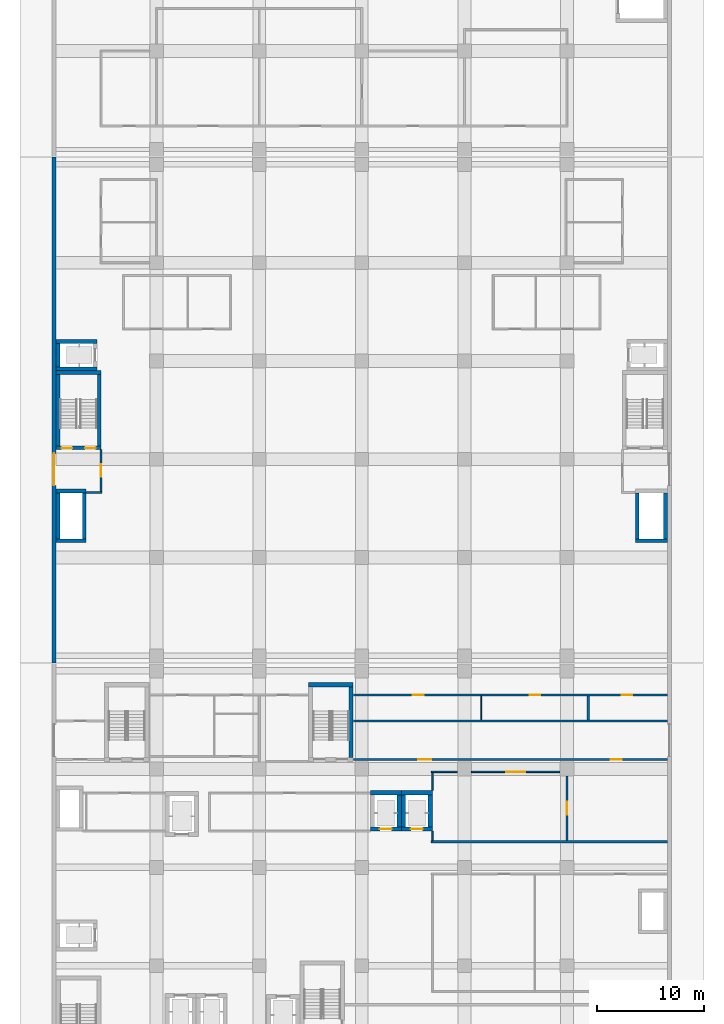
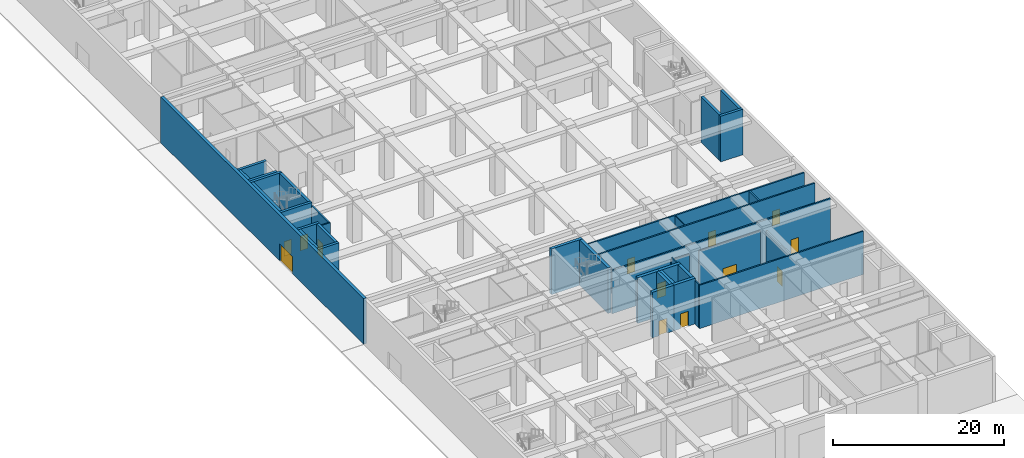
# One storey, part 19 of 45: 37 walls, 13 doors, 13 openings.
"""IFC4 building model written with IfcOpenShell, lengths in metres."""

from ifc_helpers import new_model, si_unit, direction, frame, frame_2d, origin, place, context, subcontext, project, spatial, rectangle, extrude, material, layer, layer_set, type_object, element, fill, save


model = new_model("IFC4")

# Units and contexts
model_context = context("Model", 3, precision=1e-05, world=origin(), true_north=direction((0.0, 1.0)))
body_context = subcontext(model_context, "Body", "Model", "MODEL_VIEW")
ifc_project = project(units=[si_unit("LENGTHUNIT", "METRE"), si_unit("AREAUNIT", "SQUARE_METRE"), si_unit("VOLUMEUNIT", "CUBIC_METRE"), si_unit("PLANEANGLEUNIT", "RADIAN"), si_unit("MASSUNIT", "GRAM", prefix="KILO")], contexts=[model_context])

# Site, building, storey
site_placement = place(None, origin())
site = spatial("IfcSite", under=ifc_project, at=site_placement, CompositionType="ELEMENT")
building_placement = place(site_placement, origin())
building = spatial("IfcBuilding", under=site, at=building_placement, Name="Nzadi Deep Aquarium and Research Tower", CompositionType="ELEMENT")
storey_placement = place(building_placement, origin())
storey = spatial("IfcBuildingStorey", under=building, at=storey_placement, Name="G", CompositionType="ELEMENT", Elevation=0.0)

# Walls
ifc_material_1 = material(Name="Blockwork masonry", Category="masonry")
ifc_layer_1 = layer(ifc_material_1, 0.10009765625)
ifc_layer_set_1 = layer_set([ifc_layer_1], Name="Blockwork masonry")
wall_type_1 = type_object("IfcWallType", Name="Partition 100 EI 30", PredefinedType="PARTITIONING", material=ifc_layer_set_1)
wall_1_placement = place(storey_placement, frame((40.0, 41.39990234375, 0.0), z_axis=(0.0, 0.0, 1.0), x_axis=(0.0, 1.0, 0.0)))
element("IfcWall", 1, at=wall_1_placement, inside=storey, type_object=wall_type_1, Name="W-Z1-G-P033", PredefinedType="PARTITIONING", context=body_context, shape_type="SweptSolid", body=[
    extrude(rectangle(XDim=2.25, YDim=0.10009765625, at=frame_2d((1.125, 0.0))), origin(), (0.0, 0.0, 1.0), 6.14990234375),
])
ifc_material_2 = material(Name="Blockwork masonry", Category="masonry")
ifc_layer_2 = layer(ifc_material_2, 0.14990234375)
ifc_layer_set_2 = layer_set([ifc_layer_2], Name="Blockwork masonry")
wall_type_2 = type_object("IfcWallType", Name="Partition 150 EI 60", PredefinedType="PARTITIONING", material=ifc_layer_set_2)
wall_2_placement = place(storey_placement, frame((35.39990234375, 30.10009765625, 0.0), z_axis=(0.0, 0.0, 1.0), x_axis=(0.0, 1.0, 0.0)))
element("IfcWall", 2, at=wall_2_placement, inside=storey, type_object=wall_type_2, Name="W-Z1-G-P028", PredefinedType="PARTITIONING", context=body_context, shape_type="SweptSolid", body=[
    extrude(rectangle(XDim=0.893798828125, YDim=0.14990234375, at=frame_2d((0.44677734375, 0.0))), origin(), (0.0, 0.0, 1.0), 6.14990234375),
])
wall_3_placement = place(storey_placement, frame((35.39990234375, 34.805908203125, 0.0), z_axis=(0.0, 0.0, 1.0), x_axis=(0.0, 1.0, 0.0)))
element("IfcWall", 3, at=wall_3_placement, inside=storey, type_object=wall_type_2, Name="W-Z1-G-P029", PredefinedType="PARTITIONING", context=body_context, shape_type="SweptSolid", body=[
    extrude(rectangle(XDim=1.669189453125, YDim=0.14990234375, at=frame_2d((0.83447265625, 0.0))), origin(), (0.0, 0.0, 1.0), 6.14990234375),
])
ifc_material_3 = material(Name="Blockwork masonry", Category="masonry")
ifc_layer_3 = layer(ifc_material_3, 0.14990234375)
ifc_layer_set_3 = layer_set([ifc_layer_3], Name="Blockwork masonry")
wall_type_3 = type_object("IfcWallType", Name="Partition 150 EI 60, 5.75 m high", PredefinedType="PARTITIONING", material=ifc_layer_set_3)
wall_4_placement = place(storey_placement, frame((35.324951171875, 36.550048828125, 0.0), z_axis=(0.0, 0.0, 1.0), x_axis=(1.0, 0.0, 0.0)))
element("IfcWall", 4, at=wall_4_placement, inside=storey, type_object=wall_type_3, Name="W-Z1-G-P030", PredefinedType="PARTITIONING", context=body_context, shape_type="SweptSolid", body=[
    extrude(rectangle(XDim=2.425048828125, YDim=0.14990234375, at=frame_2d((1.21240234375, 0.0))), origin(), (0.0, 0.0, 1.0), 5.75),
])

# Wall, opening, door
wall_5_placement = place(storey_placement, frame((39.050048828125, 36.550048828125, 0.0), z_axis=(0.0, 0.0, 1.0), x_axis=(1.0, 0.0, 0.0)))
wall_5 = element("IfcWall", 5, at=wall_5_placement, inside=storey, type_object=wall_type_3, Name="W-Z1-G-P032", PredefinedType="PARTITIONING", context=body_context, shape_type="SweptSolid", body=[
    extrude(rectangle(XDim=8.300048828125, YDim=0.14990234375, at=frame_2d((4.14990234375, 0.0))), origin(), (0.0, 0.0, 1.0), 5.75),
])
opening_1_placement = place(wall_5_placement, frame((3.25, 0.0, 0.0)))
opening_1 = element("IfcOpeningElement", 6, at=opening_1_placement, cuts=wall_5, Name="Opening D011014", PredefinedType="OPENING", context=body_context, shape_type="SweptSolid", body=[
    extrude(rectangle(XDim=1.800048828125, YDim=2.10009765625, at=frame_2d((0.89990234375, 1.050048828125))), frame((0.0, 0.0849609375, 0.0), z_axis=(0.0, -1.0, 0.0), x_axis=(1.0, 0.0, 0.0)), (0.0, 0.0, 1.0), 0.169921875),
])
ifc_material_4 = material(Name="Fire-rated steel door", Category="steel")
ifc_layer_4 = layer(ifc_material_4, 0.050048828125)
ifc_layer_set_4 = layer_set([ifc_layer_4], Name="Fire-rated steel door")
door_type_1 = type_object("IfcDoorType", Name="Door 1800x2100 EI 60 double", OperationType="DOUBLE_DOOR_SINGLE_SWING", PredefinedType="DOOR", material=ifc_layer_set_4)
door_1_placement = place(opening_1_placement, origin())
door_1 = element("IfcDoor", 7, at=door_1_placement, inside=storey, type_object=door_type_1, Name="D011014", OperationType="DOUBLE_DOOR_SINGLE_SWING", OverallHeight=2.10009765625, OverallWidth=1.800048828125, PredefinedType="DOOR", context=body_context, shape_type="SweptSolid", body=[
    extrude(rectangle(XDim=1.800048828125, YDim=2.10009765625, at=frame_2d((0.89990234375, 1.050048828125))), frame((0.0, 0.02490234375, 0.0), z_axis=(0.0, -1.0, 0.0), x_axis=(1.0, 0.0, 0.0)), (0.0, 0.0, 1.0), 0.050048828125),
])
fill(opening_1, door_1)

# Wall, openings, doors
ifc_material_5 = material(Name="Blockwork masonry", Category="masonry")
ifc_layer_5 = layer(ifc_material_5, 0.199951171875)
ifc_layer_set_5 = layer_set([ifc_layer_5], Name="Blockwork masonry")
wall_type_4 = type_object("IfcWallType", Name="Partition 200 EI 120", PredefinedType="PARTITIONING", material=ifc_layer_set_5)
wall_6_placement = place(storey_placement, frame((28.006103515625, 37.699951171875, 0.0), z_axis=(0.0, 0.0, 1.0), x_axis=(1.0, 0.0, 0.0)))
wall_6 = element("IfcWall", 8, at=wall_6_placement, inside=storey, type_object=wall_type_4, Name="W-Z1-G-P021", PredefinedType="PARTITIONING", context=body_context, shape_type="SweptSolid", body=[
    extrude(rectangle(XDim=29.387939453125, YDim=0.199951171875, at=frame_2d((14.69384765625, 0.0))), origin(), (0.0, 0.0, 1.0), 6.14990234375),
])
opening_2_placement = place(wall_6_placement, frame((24.10595703125, 0.0, 0.0)))
opening_2 = element("IfcOpeningElement", 9, at=opening_2_placement, cuts=wall_6, Name="Opening D011016", PredefinedType="OPENING", context=body_context, shape_type="SweptSolid", body=[
    extrude(rectangle(XDim=1.0, YDim=2.10009765625, at=frame_2d((0.5, 1.050048828125))), frame((0.0, 0.110107421875, 0.0), z_axis=(0.0, -1.0, 0.0), x_axis=(1.0, 0.0, 0.0)), (0.0, 0.0, 1.0), 0.22021484375),
])
opening_3_placement = place(wall_6_placement, frame((6.08203125, 0.0, 0.0)))
opening_3 = element("IfcOpeningElement", 10, at=opening_3_placement, cuts=wall_6, Name="Opening D011023", PredefinedType="OPENING", context=body_context, shape_type="SweptSolid", body=[
    extrude(rectangle(XDim=1.199951171875, YDim=2.10009765625, at=frame_2d((0.60009765625, 1.050048828125))), frame((0.0, 0.110107421875, 0.0), z_axis=(0.0, -1.0, 0.0), x_axis=(1.0, 0.0, 0.0)), (0.0, 0.0, 1.0), 0.22021484375),
])
ifc_material_6 = material(Name="Fire-rated steel door", Category="steel")
ifc_layer_6 = layer(ifc_material_6, 0.050048828125)
ifc_layer_set_6 = layer_set([ifc_layer_6], Name="Fire-rated steel door")
door_type_2 = type_object("IfcDoorType", Name="Door 1000x2100 EI 120 single", OperationType="SINGLE_SWING_LEFT", PredefinedType="DOOR", material=ifc_layer_set_6)
door_2_placement = place(opening_2_placement, origin())
door_2 = element("IfcDoor", 11, at=door_2_placement, inside=storey, type_object=door_type_2, Name="D011016", OperationType="SINGLE_SWING_RIGHT", OverallHeight=2.10009765625, OverallWidth=1.0, PredefinedType="DOOR", context=body_context, shape_type="SweptSolid", body=[
    extrude(rectangle(XDim=1.0, YDim=2.10009765625, at=frame_2d((0.5, 1.050048828125))), frame((0.0, 0.02490234375, 0.0), z_axis=(0.0, -1.0, 0.0), x_axis=(1.0, 0.0, 0.0)), (0.0, 0.0, 1.0), 0.050048828125),
])
fill(opening_2, door_2)
ifc_material_7 = material(Name="Fire-rated steel door", Category="steel")
ifc_layer_7 = layer(ifc_material_7, 0.050048828125)
ifc_layer_set_7 = layer_set([ifc_layer_7], Name="Fire-rated steel door")
door_type_3 = type_object("IfcDoorType", Name="Door 1200x2100 EI 120 single", OperationType="SINGLE_SWING_LEFT", PredefinedType="DOOR", material=ifc_layer_set_7)
door_3_placement = place(opening_3_placement, origin())
door_3 = element("IfcDoor", 12, at=door_3_placement, inside=storey, type_object=door_type_3, Name="D011023", OperationType="SINGLE_SWING_LEFT", OverallHeight=2.10009765625, OverallWidth=1.199951171875, PredefinedType="DOOR", context=body_context, shape_type="SweptSolid", body=[
    extrude(rectangle(XDim=1.199951171875, YDim=2.10009765625, at=frame_2d((0.60009765625, 1.050048828125))), frame((0.0, 0.02490234375, 0.0), z_axis=(0.0, -1.0, 0.0), x_axis=(1.0, 0.0, 0.0)), (0.0, 0.0, 1.0), 0.050048828125),
])
fill(opening_3, door_3)

# Wall
wall_7_placement = place(storey_placement, frame((28.006103515625, 41.300048828125, 0.0), z_axis=(0.0, 0.0, 1.0), x_axis=(1.0, 0.0, 0.0)))
element("IfcWall", 13, at=wall_7_placement, inside=storey, type_object=wall_type_4, Name="W-Z1-G-P022", PredefinedType="PARTITIONING", context=body_context, shape_type="SweptSolid", body=[
    extrude(rectangle(XDim=29.387939453125, YDim=0.199951171875, at=frame_2d((14.69384765625, 0.0))), origin(), (0.0, 0.0, 1.0), 6.14990234375),
])

# Wall, openings, doors
wall_8_placement = place(storey_placement, frame((28.006103515625, 43.75, 0.0), z_axis=(0.0, 0.0, 1.0), x_axis=(1.0, 0.0, 0.0)))
wall_8 = element("IfcWall", 14, at=wall_8_placement, inside=storey, type_object=wall_type_4, Name="W-Z1-G-P023", PredefinedType="PARTITIONING", context=body_context, shape_type="SweptSolid", body=[
    extrude(rectangle(XDim=29.387939453125, YDim=0.199951171875, at=frame_2d((14.69384765625, 0.0))), origin(), (0.0, 0.0, 1.0), 6.14990234375),
])
opening_4_placement = place(wall_8_placement, frame((5.58203125, 0.0, 0.0)))
opening_4 = element("IfcOpeningElement", 15, at=opening_4_placement, cuts=wall_8, Name="Opening D011018", PredefinedType="OPENING", context=body_context, shape_type="SweptSolid", body=[
    extrude(rectangle(XDim=1.0, YDim=2.10009765625, at=frame_2d((0.5, 1.050048828125))), frame((0.0, 0.110107421875, 0.0), z_axis=(0.0, -1.0, 0.0), x_axis=(1.0, 0.0, 0.0)), (0.0, 0.0, 1.0), 0.22021484375),
])
opening_5_placement = place(wall_8_placement, frame((16.493896484375, 0.0, 0.0)))
opening_5 = element("IfcOpeningElement", 16, at=opening_5_placement, cuts=wall_8, Name="Opening D011019", PredefinedType="OPENING", context=body_context, shape_type="SweptSolid", body=[
    extrude(rectangle(XDim=1.0, YDim=2.10009765625, at=frame_2d((0.5, 1.050048828125))), frame((0.0, 0.110107421875, 0.0), z_axis=(0.0, -1.0, 0.0), x_axis=(1.0, 0.0, 0.0)), (0.0, 0.0, 1.0), 0.22021484375),
])
opening_6_placement = place(wall_8_placement, frame((25.10595703125, 0.0, 0.0)))
opening_6 = element("IfcOpeningElement", 17, at=opening_6_placement, cuts=wall_8, Name="Opening D011020", PredefinedType="OPENING", context=body_context, shape_type="SweptSolid", body=[
    extrude(rectangle(XDim=1.0, YDim=2.10009765625, at=frame_2d((0.5, 1.050048828125))), frame((0.0, 0.110107421875, 0.0), z_axis=(0.0, -1.0, 0.0), x_axis=(1.0, 0.0, 0.0)), (0.0, 0.0, 1.0), 0.22021484375),
])
door_4_placement = place(opening_4_placement, origin())
door_4 = element("IfcDoor", 18, at=door_4_placement, inside=storey, type_object=door_type_2, Name="D011018", OperationType="SINGLE_SWING_RIGHT", OverallHeight=2.10009765625, OverallWidth=1.0, PredefinedType="DOOR", context=body_context, shape_type="SweptSolid", body=[
    extrude(rectangle(XDim=1.0, YDim=2.10009765625, at=frame_2d((0.5, 1.050048828125))), frame((0.0, 0.02490234375, 0.0), z_axis=(0.0, -1.0, 0.0), x_axis=(1.0, 0.0, 0.0)), (0.0, 0.0, 1.0), 0.050048828125),
])
fill(opening_4, door_4)
door_5_placement = place(opening_5_placement, origin())
door_5 = element("IfcDoor", 19, at=door_5_placement, inside=storey, type_object=door_type_2, Name="D011019", OperationType="SINGLE_SWING_LEFT", OverallHeight=2.10009765625, OverallWidth=1.0, PredefinedType="DOOR", context=body_context, shape_type="SweptSolid", body=[
    extrude(rectangle(XDim=1.0, YDim=2.10009765625, at=frame_2d((0.5, 1.050048828125))), frame((0.0, 0.02490234375, 0.0), z_axis=(0.0, -1.0, 0.0), x_axis=(1.0, 0.0, 0.0)), (0.0, 0.0, 1.0), 0.050048828125),
])
fill(opening_5, door_5)
door_6_placement = place(opening_6_placement, origin())
door_6 = element("IfcDoor", 20, at=door_6_placement, inside=storey, type_object=door_type_2, Name="D011020", OperationType="SINGLE_SWING_RIGHT", OverallHeight=2.10009765625, OverallWidth=1.0, PredefinedType="DOOR", context=body_context, shape_type="SweptSolid", body=[
    extrude(rectangle(XDim=1.0, YDim=2.10009765625, at=frame_2d((0.5, 1.050048828125))), frame((0.0, 0.02490234375, 0.0), z_axis=(0.0, -1.0, 0.0), x_axis=(1.0, 0.0, 0.0)), (0.0, 0.0, 1.0), 0.050048828125),
])
fill(opening_6, door_6)

# Walls
wall_9_placement = place(storey_placement, frame((35.300048828125, 30.0, 0.0), z_axis=(0.0, 0.0, 1.0), x_axis=(1.0, 0.0, 0.0)))
element("IfcWall", 21, at=wall_9_placement, inside=storey, type_object=wall_type_4, Name="W-Z1-G-P024", PredefinedType="PARTITIONING", context=body_context, shape_type="SweptSolid", body=[
    extrude(rectangle(XDim=22.093994140625, YDim=0.199951171875, at=frame_2d((11.046875, 0.0))), origin(), (0.0, 0.0, 1.0), 6.14990234375),
])
wall_10_placement = place(storey_placement, frame((50.0, 41.39990234375, 0.0), z_axis=(0.0, 0.0, 1.0), x_axis=(0.0, 1.0, 0.0)))
element("IfcWall", 22, at=wall_10_placement, inside=storey, type_object=wall_type_4, Name="W-Z1-G-P041", PredefinedType="PARTITIONING", context=body_context, shape_type="SweptSolid", body=[
    extrude(rectangle(XDim=2.25, YDim=0.199951171875, at=frame_2d((1.125, 0.0))), origin(), (0.0, 0.0, 1.0), 6.14990234375),
])

# Wall, opening, door
ifc_material_8 = material(Name="Blockwork masonry", Category="masonry")
ifc_layer_8 = layer(ifc_material_8, 0.199951171875)
ifc_layer_set_8 = layer_set([ifc_layer_8], Name="Blockwork masonry")
wall_type_5 = type_object("IfcWallType", Name="Partition 200 EI 120, 5.75 m high", PredefinedType="PARTITIONING", material=ifc_layer_set_8)
wall_11_placement = place(storey_placement, frame((48.0, 30.10009765625, 0.0), z_axis=(0.0, 0.0, 1.0), x_axis=(0.0, 1.0, 0.0)))
wall_11 = element("IfcWall", 23, at=wall_11_placement, inside=storey, type_object=wall_type_5, Name="W-Z1-G-P039", PredefinedType="PARTITIONING", context=body_context, shape_type="SweptSolid", body=[
    extrude(rectangle(XDim=6.0498046875, YDim=0.199951171875, at=frame_2d((3.02490234375, 0.0))), origin(), (0.0, 0.0, 1.0), 5.75),
])
opening_7_placement = place(wall_11_placement, frame((2.425048828125, 0.0, 0.0)))
opening_7 = element("IfcOpeningElement", 24, at=opening_7_placement, cuts=wall_11, Name="Opening D011015", PredefinedType="OPENING", context=body_context, shape_type="SweptSolid", body=[
    extrude(rectangle(XDim=1.199951171875, YDim=2.10009765625, at=frame_2d((0.60009765625, 1.050048828125))), frame((0.0, 0.110107421875, 0.0), z_axis=(0.0, -1.0, 0.0), x_axis=(1.0, 0.0, 0.0)), (0.0, 0.0, 1.0), 0.22021484375),
])
door_7_placement = place(opening_7_placement, origin())
door_7 = element("IfcDoor", 25, at=door_7_placement, inside=storey, type_object=door_type_3, Name="D011015", OperationType="SINGLE_SWING_RIGHT", OverallHeight=2.10009765625, OverallWidth=1.199951171875, PredefinedType="DOOR", context=body_context, shape_type="SweptSolid", body=[
    extrude(rectangle(XDim=1.199951171875, YDim=2.10009765625, at=frame_2d((0.60009765625, 1.050048828125))), frame((0.0, 0.02490234375, 0.0), z_axis=(0.0, -1.0, 0.0), x_axis=(1.0, 0.0, 0.0)), (0.0, 0.0, 1.0), 0.050048828125),
])
fill(opening_7, door_7)

# Wall
ifc_material_9 = material(Name="Blockwork masonry", Category="masonry")
ifc_layer_9 = layer(ifc_material_9, 0.199951171875)
ifc_layer_set_9 = layer_set([ifc_layer_9], Name="Blockwork masonry")
wall_type_6 = type_object("IfcWallType", Name="Partition 200 EI 120, 6.05 m high", PredefinedType="PARTITIONING", material=ifc_layer_set_9)
wall_12_placement = place(storey_placement, frame((3.006103515625, 62.699951171875, 0.0), z_axis=(0.0, 0.0, 1.0), x_axis=(1.0, 0.0, 0.0)))
element("IfcWall", 26, at=wall_12_placement, inside=storey, type_object=wall_type_6, Name="W-Z2-G-P001", PredefinedType="PARTITIONING", context=body_context, shape_type="SweptSolid", body=[
    extrude(rectangle(XDim=1.493896484375, YDim=0.199951171875, at=frame_2d((0.7470703125, 0.0))), origin(), (0.0, 0.0, 1.0), 6.050048828125),
])

# Wall, opening, door
wall_13_placement = place(storey_placement, frame((4.39990234375, 62.800048828125, 0.0), z_axis=(0.0, 0.0, 1.0), x_axis=(0.0, 1.0, 0.0)))
wall_13 = element("IfcWall", 27, at=wall_13_placement, inside=storey, type_object=wall_type_6, Name="W-Z2-G-P002", PredefinedType="PARTITIONING", context=body_context, shape_type="SweptSolid", body=[
    extrude(rectangle(XDim=3.89404296875, YDim=0.199951171875, at=frame_2d((1.947021484375, 0.0))), origin(), (0.0, 0.0, 1.0), 6.050048828125),
])
opening_8_placement = place(wall_13_placement, frame((1.346923828125, 0.0, 0.0)))
opening_8 = element("IfcOpeningElement", 28, at=opening_8_placement, cuts=wall_13, Name="Opening D012009", PredefinedType="OPENING", context=body_context, shape_type="SweptSolid", body=[
    extrude(rectangle(XDim=1.199951171875, YDim=2.10009765625, at=frame_2d((0.60009765625, 1.050048828125))), frame((0.0, 0.110107421875, 0.0), z_axis=(0.0, -1.0, 0.0), x_axis=(1.0, 0.0, 0.0)), (0.0, 0.0, 1.0), 0.22021484375),
])
door_8_placement = place(opening_8_placement, origin())
door_8 = element("IfcDoor", 29, at=door_8_placement, inside=storey, type_object=door_type_3, Name="D012009", OperationType="SINGLE_SWING_LEFT", OverallHeight=2.10009765625, OverallWidth=1.199951171875, PredefinedType="DOOR", context=body_context, shape_type="SweptSolid", body=[
    extrude(rectangle(XDim=1.199951171875, YDim=2.10009765625, at=frame_2d((0.60009765625, 1.050048828125))), frame((0.0, 0.02490234375, 0.0), z_axis=(0.0, -1.0, 0.0), x_axis=(1.0, 0.0, 0.0)), (0.0, 0.0, 1.0), 0.050048828125),
])
fill(opening_8, door_8)

# Wall, openings, doors
ifc_material_10 = material(Name="Concrete C35/45", Category="concrete")
ifc_layer_10 = layer(ifc_material_10, 0.35009765625)
ifc_layer_set_10 = layer_set([ifc_layer_10], Name="Concrete C35/45")
wall_type_7 = type_object("IfcWallType", Name="RC core wall 350, 5.50 to 6.50 m high", PredefinedType="SHEAR", material=ifc_layer_set_10)
wall_14_placement = place(storey_placement, frame((0.199951171875, 66.875, 0.0), z_axis=(0.0, 0.0, 1.0), x_axis=(1.0, 0.0, 0.0)))
wall_14 = element("IfcWall", 30, at=wall_14_placement, inside=storey, type_object=wall_type_7, Name="W-CORE-ST-Z2-W-G-S", PredefinedType="SHEAR", context=body_context, shape_type="SweptSolid", body=[
    extrude(rectangle(XDim=4.199951171875, YDim=0.35009765625, at=frame_2d((2.10009765625, 0.0))), origin(), (0.0, 0.0, 1.0), 6.5),
])
opening_9_placement = place(wall_14_placement, frame((0.5, 0.0, 0.0)))
opening_9 = element("IfcOpeningElement", 31, at=opening_9_placement, cuts=wall_14, Name="Opening DS-Z2-W-GA", PredefinedType="OPENING", context=body_context, shape_type="SweptSolid", body=[
    extrude(rectangle(XDim=1.0, YDim=2.10009765625, at=frame_2d((0.5, 1.050048828125))), frame((0.0, 0.18505859375, 0.0), z_axis=(0.0, -1.0, 0.0), x_axis=(1.0, 0.0, 0.0)), (0.0, 0.0, 1.0), 0.3701171875),
])
opening_10_placement = place(wall_14_placement, frame((2.699951171875, 0.0, 0.0)))
opening_10 = element("IfcOpeningElement", 32, at=opening_10_placement, cuts=wall_14, Name="Opening DS-Z2-W-GB", PredefinedType="OPENING", context=body_context, shape_type="SweptSolid", body=[
    extrude(rectangle(XDim=1.0, YDim=2.10009765625, at=frame_2d((0.5, 1.050048828125))), frame((0.0, 0.18505859375, 0.0), z_axis=(0.0, -1.0, 0.0), x_axis=(1.0, 0.0, 0.0)), (0.0, 0.0, 1.0), 0.3701171875),
])
ifc_material_11 = material(Name="Steel, powder coated", Category="steel")
door_type_4 = type_object("IfcDoorType", Name="STAIR DOOR 1000x2100 EI 60", OperationType="SINGLE_SWING_LEFT", PredefinedType="DOOR", material=ifc_material_11)
door_9_placement = place(opening_9_placement, origin())
door_9 = element("IfcDoor", 33, at=door_9_placement, inside=storey, type_object=door_type_4, Name="Stair door ST-Z2-W G A", OperationType="SINGLE_SWING_LEFT", OverallHeight=2.10009765625, OverallWidth=1.0, PredefinedType="DOOR", context=body_context, shape_type="SweptSolid", body=[
    extrude(rectangle(XDim=1.0, YDim=2.10009765625, at=frame_2d((0.5, 1.050048828125))), frame((0.0, 0.02490234375, 0.0), z_axis=(0.0, -1.0, 0.0), x_axis=(1.0, 0.0, 0.0)), (0.0, 0.0, 1.0), 0.050048828125),
])
fill(opening_9, door_9)
door_10_placement = place(opening_10_placement, origin())
door_10 = element("IfcDoor", 34, at=door_10_placement, inside=storey, type_object=door_type_4, Name="Stair door ST-Z2-W G B", OperationType="SINGLE_SWING_RIGHT", OverallHeight=2.10009765625, OverallWidth=1.0, PredefinedType="DOOR", context=body_context, shape_type="SweptSolid", body=[
    extrude(rectangle(XDim=1.0, YDim=2.10009765625, at=frame_2d((0.5, 1.050048828125))), frame((0.0, 0.02490234375, 0.0), z_axis=(0.0, -1.0, 0.0), x_axis=(1.0, 0.0, 0.0)), (0.0, 0.0, 1.0), 0.050048828125),
])
fill(opening_10, door_10)

# Walls
wall_15_placement = place(storey_placement, frame((0.199951171875, 73.925048828125, 0.0), z_axis=(0.0, 0.0, 1.0), x_axis=(1.0, 0.0, 0.0)))
element("IfcWall", 35, at=wall_15_placement, inside=storey, type_object=wall_type_7, Name="W-CORE-ST-Z2-W-G-N", PredefinedType="SHEAR", context=body_context, shape_type="SweptSolid", body=[
    extrude(rectangle(XDim=4.199951171875, YDim=0.35009765625, at=frame_2d((2.10009765625, 0.0))), origin(), (0.0, 0.0, 1.0), 6.5),
])
for number, where, z_axis, x_axis, name in (
    (36, (0.375, 67.050048828125, 0.0), (0.0, 0.0, 1.0), (0.0, 1.0, 0.0), "W-CORE-ST-Z2-W-G-W"),
    (37, (4.22509765625, 67.050048828125, 0.0), (0.0, 0.0, 1.0), (0.0, 1.0, 0.0), "W-CORE-ST-Z2-W-G-E"),
):
    element("IfcWall", number, at=place(storey_placement, frame(where, z_axis=z_axis, x_axis=x_axis)), inside=storey, type_object=wall_type_7, Name=name, PredefinedType="SHEAR", context=body_context, shape_type="SweptSolid", body=[
        extrude(rectangle(XDim=6.699951171875, YDim=0.35009765625, at=frame_2d((3.35009765625, 0.0))), origin(), (0.0, 0.0, 1.0), 6.5),
    ])
for number, where, z_axis, x_axis, name in (
    (38, (0.199951171875, 74.27490234375, 0.0), (0.0, 0.0, 1.0), (1.0, 0.0, 0.0), "W-CORE-PL3-G-S"),
    (39, (0.199951171875, 76.824951171875, 0.0), (0.0, 0.0, 1.0), (1.0, 0.0, 0.0), "W-CORE-PL3-G-N"),
):
    element("IfcWall", number, at=place(storey_placement, frame(where, z_axis=z_axis, x_axis=x_axis)), inside=storey, type_object=wall_type_7, Name=name, PredefinedType="SHEAR", context=body_context, shape_type="SweptSolid", body=[
        extrude(rectangle(XDim=3.800048828125, YDim=0.35009765625, at=frame_2d((1.89990234375, 0.0))), origin(), (0.0, 0.0, 1.0), 6.5),
    ])
wall_16_placement = place(storey_placement, frame((0.375, 74.449951171875, 0.0), z_axis=(0.0, 0.0, 1.0), x_axis=(0.0, 1.0, 0.0)))
element("IfcWall", 40, at=wall_16_placement, inside=storey, type_object=wall_type_7, Name="W-CORE-PL3-G-W", PredefinedType="SHEAR", context=body_context, shape_type="SweptSolid", body=[
    extrude(rectangle(XDim=2.199951171875, YDim=0.35009765625, at=frame_2d((1.10009765625, 0.0))), origin(), (0.0, 0.0, 1.0), 6.5),
])
for number, where, z_axis, x_axis, name in (
    (41, (0.199951171875, 58.175048828125, 0.0), (0.0, 0.0, 1.0), (1.0, 0.0, 0.0), "W-CORE-RS-Z2-W-G-S"),
    (42, (0.199951171875, 62.824951171875, 0.0), (0.0, 0.0, 1.0), (1.0, 0.0, 0.0), "W-CORE-RS-Z2-W-G-N"),
):
    element("IfcWall", number, at=place(storey_placement, frame(where, z_axis=z_axis, x_axis=x_axis)), inside=storey, type_object=wall_type_7, Name=name, PredefinedType="SHEAR", context=body_context, shape_type="SweptSolid", body=[
        extrude(rectangle(XDim=2.800048828125, YDim=0.35009765625, at=frame_2d((1.39990234375, 0.0))), origin(), (0.0, 0.0, 1.0), 6.5),
    ])
for number, where, z_axis, x_axis, name in (
    (43, (0.375, 58.35009765625, 0.0), (0.0, 0.0, 1.0), (0.0, 1.0, 0.0), "W-CORE-RS-Z2-W-G-W"),
    (44, (2.824951171875, 58.35009765625, 0.0), (0.0, 0.0, 1.0), (0.0, 1.0, 0.0), "W-CORE-RS-Z2-W-G-E"),
):
    element("IfcWall", number, at=place(storey_placement, frame(where, z_axis=z_axis, x_axis=x_axis)), inside=storey, type_object=wall_type_7, Name=name, PredefinedType="SHEAR", context=body_context, shape_type="SweptSolid", body=[
        extrude(rectangle(XDim=4.2998046875, YDim=0.35009765625, at=frame_2d((2.14990234375, 0.0))), origin(), (0.0, 0.0, 1.0), 6.5),
    ])
wall_17_placement = place(storey_placement, frame((54.39990234375, 58.175048828125, 0.0), z_axis=(0.0, 0.0, 1.0), x_axis=(1.0, 0.0, 0.0)))
element("IfcWall", 45, at=wall_17_placement, inside=storey, type_object=wall_type_7, Name="W-CORE-RS-Z2-E-G-S", PredefinedType="SHEAR", context=body_context, shape_type="SweptSolid", body=[
    extrude(rectangle(XDim=3.0, YDim=0.35009765625, at=frame_2d((1.5, 0.0))), origin(), (0.0, 0.0, 1.0), 6.5),
])
for number, where, z_axis, x_axis, name in (
    (46, (54.574951171875, 58.35009765625, 0.0), (0.0, 0.0, 1.0), (0.0, 1.0, 0.0), "W-CORE-RS-Z2-E-G-W"),
    (47, (57.22509765625, 58.35009765625, 0.0), (0.0, 0.0, 1.0), (0.0, 1.0, 0.0), "W-CORE-RS-Z2-E-G-E"),
):
    element("IfcWall", number, at=place(storey_placement, frame(where, z_axis=z_axis, x_axis=x_axis)), inside=storey, type_object=wall_type_7, Name=name, PredefinedType="SHEAR", context=body_context, shape_type="SweptSolid", body=[
        extrude(rectangle(XDim=4.2998046875, YDim=0.35009765625, at=frame_2d((2.14990234375, 0.0))), origin(), (0.0, 0.0, 1.0), 6.5),
    ])
ifc_material_12 = material(Name="Concrete C35/45", Category="concrete")
ifc_layer_11 = layer(ifc_material_12, 0.39990234375)
ifc_layer_set_11 = layer_set([ifc_layer_11], Name="Concrete C35/45")
wall_type_8 = type_object("IfcWallType", Name="RC core wall 400, 5.50 to 6.50 m high", PredefinedType="SHEAR", material=ifc_layer_set_11)
wall_18_placement = place(storey_placement, frame((23.800048828125, 44.699951171875, 0.0), z_axis=(0.0, 0.0, 1.0), x_axis=(1.0, 0.0, 0.0)))
element("IfcWall", 48, at=wall_18_placement, inside=storey, type_object=wall_type_8, Name="W-CORE-ST-Z1-NE-G-N", PredefinedType="SHEAR", context=body_context, shape_type="SweptSolid", body=[
    extrude(rectangle(XDim=4.199951171875, YDim=0.39990234375, at=frame_2d((2.10009765625, 0.0))), origin(), (0.0, 0.0, 1.0), 6.5),
])
wall_19_placement = place(storey_placement, frame((27.800048828125, 37.89990234375, 0.0), z_axis=(0.0, 0.0, 1.0), x_axis=(0.0, 1.0, 0.0)))
element("IfcWall", 49, at=wall_19_placement, inside=storey, type_object=wall_type_8, Name="W-CORE-ST-Z1-NE-G-E", PredefinedType="SHEAR", context=body_context, shape_type="SweptSolid", body=[
    extrude(rectangle(XDim=6.60009765625, YDim=0.39990234375, at=frame_2d((3.300048828125, 0.0))), origin(), (0.0, 0.0, 1.0), 6.5),
])

# Wall, opening, door
wall_20_placement = place(storey_placement, frame((29.60009765625, 31.199951171875, 0.0), z_axis=(0.0, 0.0, 1.0), x_axis=(1.0, 0.0, 0.0)))
wall_20 = element("IfcWall", 50, at=wall_20_placement, inside=storey, type_object=wall_type_8, Name="W-CORE-TL3-G-S", PredefinedType="SHEAR", context=body_context, shape_type="SweptSolid", body=[
    extrude(rectangle(XDim=2.89990234375, YDim=0.39990234375, at=frame_2d((1.449951171875, 0.0))), origin(), (0.0, 0.0, 1.0), 6.5),
])
opening_11_placement = place(wall_20_placement, frame((0.89990234375, 0.0, 0.0)))
opening_11 = element("IfcOpeningElement", 51, at=opening_11_placement, cuts=wall_20, Name="Opening LD-TL3-G", PredefinedType="OPENING", context=body_context, shape_type="SweptSolid", body=[
    extrude(rectangle(XDim=1.10009765625, YDim=2.10009765625, at=frame_2d((0.550048828125, 1.050048828125))), frame((0.0, 0.2099609375, 0.0), z_axis=(0.0, -1.0, 0.0), x_axis=(1.0, 0.0, 0.0)), (0.0, 0.0, 1.0), 0.419921875),
])
ifc_material_13 = material(Name="Stainless steel 1.4301", Category="steel")
door_type_5 = type_object("IfcDoorType", Name="LANDING DOOR 1100x2100", OperationType="DOUBLE_DOOR_SLIDING", PredefinedType="DOOR", material=ifc_material_13)
door_11_placement = place(opening_11_placement, origin())
door_11 = element("IfcDoor", 52, at=door_11_placement, inside=storey, type_object=door_type_5, Name="Landing door TL3 G", OperationType="DOUBLE_DOOR_SLIDING", OverallHeight=2.10009765625, OverallWidth=1.10009765625, PredefinedType="DOOR", context=body_context, shape_type="SweptSolid", body=[
    extrude(rectangle(XDim=1.10009765625, YDim=2.10009765625, at=frame_2d((0.550048828125, 1.050048828125))), frame((0.0, 0.02490234375, 0.0), z_axis=(0.0, -1.0, 0.0), x_axis=(1.0, 0.0, 0.0)), (0.0, 0.0, 1.0), 0.050048828125),
])
fill(opening_11, door_11)

# Walls
wall_21_placement = place(storey_placement, frame((29.60009765625, 34.60009765625, 0.0), z_axis=(0.0, 0.0, 1.0), x_axis=(1.0, 0.0, 0.0)))
element("IfcWall", 53, at=wall_21_placement, inside=storey, type_object=wall_type_8, Name="W-CORE-TL3-G-N", PredefinedType="SHEAR", context=body_context, shape_type="SweptSolid", body=[
    extrude(rectangle(XDim=2.89990234375, YDim=0.39990234375, at=frame_2d((1.449951171875, 0.0))), origin(), (0.0, 0.0, 1.0), 6.5),
])
wall_22_placement = place(storey_placement, frame((32.300048828125, 31.39990234375, 0.0), z_axis=(0.0, 0.0, 1.0), x_axis=(0.0, 1.0, 0.0)))
element("IfcWall", 54, at=wall_22_placement, inside=storey, type_object=wall_type_8, Name="W-CORE-TL3-G-E", PredefinedType="SHEAR", context=body_context, shape_type="SweptSolid", body=[
    extrude(rectangle(XDim=3.0, YDim=0.39990234375, at=frame_2d((1.5, 0.0))), origin(), (0.0, 0.0, 1.0), 6.5),
])

# Wall, opening, door
wall_23_placement = place(storey_placement, frame((32.5, 31.199951171875, 0.0), z_axis=(0.0, 0.0, 1.0), x_axis=(1.0, 0.0, 0.0)))
wall_23 = element("IfcWall", 55, at=wall_23_placement, inside=storey, type_object=wall_type_8, Name="W-CORE-TL4-G-S", PredefinedType="SHEAR", context=body_context, shape_type="SweptSolid", body=[
    extrude(rectangle(XDim=2.89990234375, YDim=0.39990234375, at=frame_2d((1.449951171875, 0.0))), origin(), (0.0, 0.0, 1.0), 6.5),
])
opening_12_placement = place(wall_23_placement, frame((0.89990234375, 0.0, 0.0)))
opening_12 = element("IfcOpeningElement", 56, at=opening_12_placement, cuts=wall_23, Name="Opening LD-TL4-G", PredefinedType="OPENING", context=body_context, shape_type="SweptSolid", body=[
    extrude(rectangle(XDim=1.10009765625, YDim=2.10009765625, at=frame_2d((0.550048828125, 1.050048828125))), frame((0.0, 0.2099609375, 0.0), z_axis=(0.0, -1.0, 0.0), x_axis=(1.0, 0.0, 0.0)), (0.0, 0.0, 1.0), 0.419921875),
])
door_12_placement = place(opening_12_placement, origin())
door_12 = element("IfcDoor", 57, at=door_12_placement, inside=storey, type_object=door_type_5, Name="Landing door TL4 G", OperationType="DOUBLE_DOOR_SLIDING", OverallHeight=2.10009765625, OverallWidth=1.10009765625, PredefinedType="DOOR", context=body_context, shape_type="SweptSolid", body=[
    extrude(rectangle(XDim=1.10009765625, YDim=2.10009765625, at=frame_2d((0.550048828125, 1.050048828125))), frame((0.0, 0.02490234375, 0.0), z_axis=(0.0, -1.0, 0.0), x_axis=(1.0, 0.0, 0.0)), (0.0, 0.0, 1.0), 0.050048828125),
])
fill(opening_12, door_12)

# Walls
wall_24_placement = place(storey_placement, frame((32.5, 34.60009765625, 0.0), z_axis=(0.0, 0.0, 1.0), x_axis=(1.0, 0.0, 0.0)))
element("IfcWall", 58, at=wall_24_placement, inside=storey, type_object=wall_type_8, Name="W-CORE-TL4-G-N", PredefinedType="SHEAR", context=body_context, shape_type="SweptSolid", body=[
    extrude(rectangle(XDim=2.89990234375, YDim=0.39990234375, at=frame_2d((1.449951171875, 0.0))), origin(), (0.0, 0.0, 1.0), 6.5),
])
for number, where, z_axis, x_axis, name in (
    (59, (32.699951171875, 31.39990234375, 0.0), (0.0, 0.0, 1.0), (0.0, 1.0, 0.0), "W-CORE-TL4-G-W"),
    (60, (35.199951171875, 31.39990234375, 0.0), (0.0, 0.0, 1.0), (0.0, 1.0, 0.0), "W-CORE-TL4-G-E"),
):
    element("IfcWall", number, at=place(storey_placement, frame(where, z_axis=z_axis, x_axis=x_axis)), inside=storey, type_object=wall_type_8, Name=name, PredefinedType="SHEAR", context=body_context, shape_type="SweptSolid", body=[
        extrude(rectangle(XDim=3.0, YDim=0.39990234375, at=frame_2d((1.5, 0.0))), origin(), (0.0, 0.0, 1.0), 6.5),
    ])

# Wall, opening, door
ifc_material_14 = material(Name="Concrete C35/45", Category="concrete")
ifc_layer_12 = layer(ifc_material_14, 0.39990234375)
ifc_layer_set_12 = layer_set([ifc_layer_12], Name="Concrete C35/45")
wall_type_9 = type_object("IfcWallType", Name="RC party wall 400", PredefinedType="SHEAR", material=ifc_layer_set_12)
wall_25_placement = place(storey_placement, frame((0.00048828125, 46.719970703125, 0.0), z_axis=(0.0, 0.0, 1.0), x_axis=(0.0, 1.0, 0.0)))
wall_25 = element("IfcWall", 61, at=wall_25_placement, inside=storey, type_object=wall_type_9, Name="W-PTY-Z2-G-W", PredefinedType="SHEAR", context=body_context, shape_type="SweptSolid", body=[
    extrude(rectangle(XDim=47.360107421875, YDim=0.39990234375, at=frame_2d((23.68017578125, 0.0))), origin(), (0.0, 0.0, 1.0), 6.5),
])
opening_13_placement = place(wall_25_placement, frame((16.6298828125, 0.0, 0.0)))
opening_13 = element("IfcOpeningElement", 62, at=opening_13_placement, cuts=wall_25, Name="Opening DE024", PredefinedType="OPENING", context=body_context, shape_type="SweptSolid", body=[
    extrude(rectangle(XDim=3.0, YDim=2.39990234375, at=frame_2d((1.5, 1.199951171875))), frame((0.0, 0.2099609375, 0.0), z_axis=(0.0, -1.0, 0.0), x_axis=(1.0, 0.0, 0.0)), (0.0, 0.0, 1.0), 0.419921875),
])
ifc_material_15 = material(Name="Aluminium framed glazing", Category="aluminium")
door_type_6 = type_object("IfcDoorType", Name="Pedestrian exit double door 3000x2400", OperationType="DOUBLE_DOOR_SINGLE_SWING", PredefinedType="DOOR", material=ifc_material_15)
door_13_placement = place(opening_13_placement, origin())
door_13 = element("IfcDoor", 63, at=door_13_placement, inside=storey, type_object=door_type_6, Name="Pedestrian exit 5", OperationType="DOUBLE_DOOR_SINGLE_SWING", OverallHeight=2.39990234375, OverallWidth=3.0, PredefinedType="DOOR", context=body_context, shape_type="SweptSolid", body=[
    extrude(rectangle(XDim=3.0, YDim=2.39990234375, at=frame_2d((1.5, 1.199951171875))), frame((0.0, 0.02490234375, 0.0), z_axis=(0.0, -1.0, 0.0), x_axis=(1.0, 0.0, 0.0)), (0.0, 0.0, 1.0), 0.050048828125),
])
fill(opening_13, door_13)

save(model, "model.ifc")
